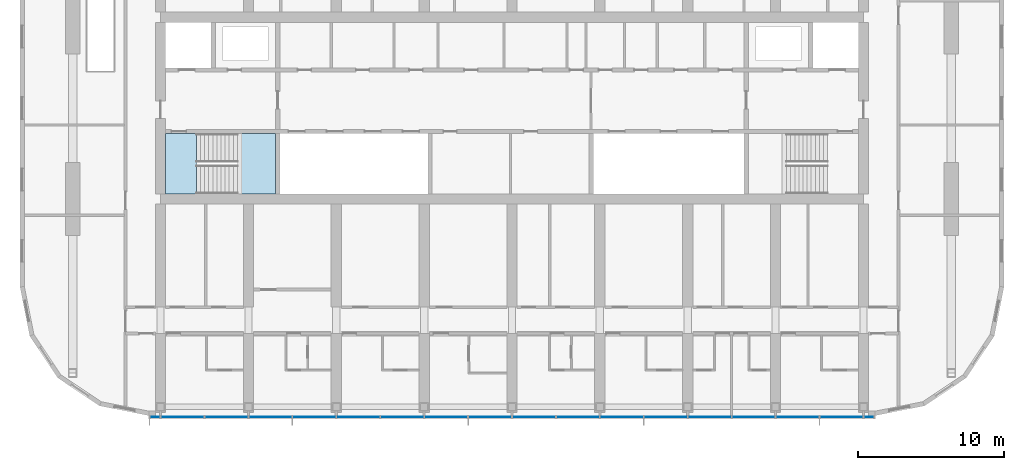
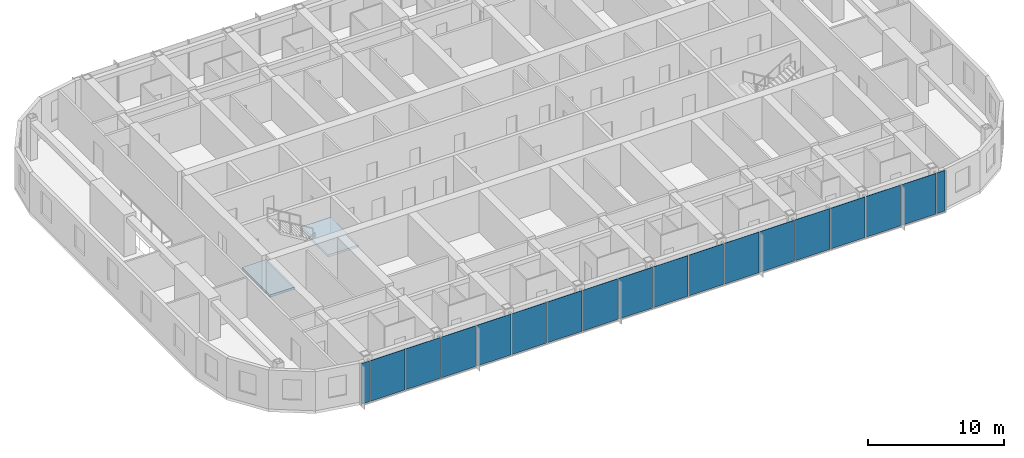
# One storey, part 7 of 23: 18 plates, 2 slabs, 2 elements without a shape of their own.
"""IFC4 building model written with IfcOpenShell, lengths in metres."""

from ifc_helpers import new_model, si_unit, direction, frame, origin, origin_2d, place, context, subcontext, project, spatial, polyline, rectangle, outline, extrude, material, layer, layer_set, type_object, element, aggregate, save


model = new_model("IFC4")

# Units and contexts
model_context = context("Model", 3, precision=1e-05, world=origin(), true_north=direction((0.0, 1.0)))
body_context = subcontext(model_context, "Body", "Model", "MODEL_VIEW")
ifc_project = project(units=[si_unit("LENGTHUNIT", "METRE"), si_unit("AREAUNIT", "SQUARE_METRE"), si_unit("VOLUMEUNIT", "CUBIC_METRE"), si_unit("PLANEANGLEUNIT", "RADIAN"), si_unit("MASSUNIT", "GRAM", prefix="KILO")], contexts=[model_context])

# Site, building, storey
site_placement = place(None, origin())
site = spatial("IfcSite", under=ifc_project, at=site_placement, CompositionType="ELEMENT")
building_placement = place(site_placement, origin())
building = spatial("IfcBuilding", under=site, at=building_placement, Name="Orbita Commons", CompositionType="ELEMENT")
storey_placement = place(building_placement, frame((0.0, 0.0, 220.300048828125)))
storey = spatial("IfcBuildingStorey", under=building, at=storey_placement, Name="L54", CompositionType="ELEMENT", Elevation=220.300048828125)

# Curtain wall, plates
ifc_material_1 = material(Name="Anodised aluminium frame, pale silver", Category="aluminium")
curtain_wall_type = type_object("IfcCurtainWallType", Name="Unitised curtain wall CW-U, full-height vision", PredefinedType="NOTDEFINED", material=ifc_material_1)
curtain_wall_placement = place(storey_placement, origin())
curtain_wall = element("IfcCurtainWall", 1, at=curtain_wall_placement, inside=storey, type_object=curtain_wall_type, Name="Curtain wall south L54", PredefinedType="NOTDEFINED")
ifc_material_2 = material(Name="Clear double glazing", Category="glass")
ifc_layer_1 = layer(ifc_material_2, 0.031982421875)
ifc_layer_set_1 = layer_set([ifc_layer_1], Name="Clear double glazing")
plate_type = type_object("IfcPlateType", Name="Full-height vision panel, clear glazing 32", PredefinedType="CURTAIN_PANEL", material=ifc_layer_set_1)
plate_1_placement = place(storey_placement, frame((17.6201171875, 10.889892578125, -0.14990234375), z_axis=(0.0, 0.0, 1.0), x_axis=(1.0, 0.0, 0.0)))
plate_1 = element("IfcPlate", 2, at=plate_1_placement, type_object=plate_type, Name="Panel 1.1 CW-L54-S", PredefinedType="CURTAIN_PANEL", context=body_context, shape_type="SweptSolid", body=[
    extrude(rectangle(XDim=0.679931640625, YDim=0.031982421875, at=origin_2d()), origin(), (0.0, 0.0, 1.0), 3.64990234375),
])
plate_2_placement = place(storey_placement, frame((19.5, 10.889892578125, -0.14990234375), z_axis=(0.0, 0.0, 1.0), x_axis=(1.0, 0.0, 0.0)))
plate_2 = element("IfcPlate", 3, at=plate_2_placement, type_object=plate_type, Name="Panel 2.1 CW-L54-S", PredefinedType="CURTAIN_PANEL", context=body_context, shape_type="SweptSolid", body=[
    extrude(rectangle(XDim=2.919921875, YDim=0.031982421875, at=origin_2d()), origin(), (0.0, 0.0, 1.0), 3.64990234375),
])
plate_3_placement = place(storey_placement, frame((22.5, 10.889892578125, -0.14990234375), z_axis=(0.0, 0.0, 1.0), x_axis=(1.0, 0.0, 0.0)))
plate_3 = element("IfcPlate", 4, at=plate_3_placement, type_object=plate_type, Name="Panel 3.1 CW-L54-S", PredefinedType="CURTAIN_PANEL", context=body_context, shape_type="SweptSolid", body=[
    extrude(rectangle(XDim=2.919921875, YDim=0.031982421875, at=origin_2d()), origin(), (0.0, 0.0, 1.0), 3.64990234375),
])
plate_4_placement = place(storey_placement, frame((25.5, 10.889892578125, -0.14990234375), z_axis=(0.0, 0.0, 1.0), x_axis=(1.0, 0.0, 0.0)))
plate_4 = element("IfcPlate", 5, at=plate_4_placement, type_object=plate_type, Name="Panel 4.1 CW-L54-S", PredefinedType="CURTAIN_PANEL", context=body_context, shape_type="SweptSolid", body=[
    extrude(rectangle(XDim=2.919921875, YDim=0.031982421875, at=origin_2d()), origin(), (0.0, 0.0, 1.0), 3.64990234375),
])
plate_5_placement = place(storey_placement, frame((28.5, 10.889892578125, -0.14990234375), z_axis=(0.0, 0.0, 1.0), x_axis=(1.0, 0.0, 0.0)))
plate_5 = element("IfcPlate", 6, at=plate_5_placement, type_object=plate_type, Name="Panel 5.1 CW-L54-S", PredefinedType="CURTAIN_PANEL", context=body_context, shape_type="SweptSolid", body=[
    extrude(rectangle(XDim=2.919921875, YDim=0.031982421875, at=origin_2d()), origin(), (0.0, 0.0, 1.0), 3.64990234375),
])
plate_6_placement = place(storey_placement, frame((31.5, 10.889892578125, -0.14990234375), z_axis=(0.0, 0.0, 1.0), x_axis=(1.0, 0.0, 0.0)))
plate_6 = element("IfcPlate", 7, at=plate_6_placement, type_object=plate_type, Name="Panel 6.1 CW-L54-S", PredefinedType="CURTAIN_PANEL", context=body_context, shape_type="SweptSolid", body=[
    extrude(rectangle(XDim=2.919921875, YDim=0.031982421875, at=origin_2d()), origin(), (0.0, 0.0, 1.0), 3.64990234375),
])
plate_7_placement = place(storey_placement, frame((34.5, 10.889892578125, -0.14990234375), z_axis=(0.0, 0.0, 1.0), x_axis=(1.0, 0.0, 0.0)))
plate_7 = element("IfcPlate", 8, at=plate_7_placement, type_object=plate_type, Name="Panel 7.1 CW-L54-S", PredefinedType="CURTAIN_PANEL", context=body_context, shape_type="SweptSolid", body=[
    extrude(rectangle(XDim=2.919921875, YDim=0.031982421875, at=origin_2d()), origin(), (0.0, 0.0, 1.0), 3.64990234375),
])
plate_8_placement = place(storey_placement, frame((37.5, 10.889892578125, -0.14990234375), z_axis=(0.0, 0.0, 1.0), x_axis=(1.0, 0.0, 0.0)))
plate_8 = element("IfcPlate", 9, at=plate_8_placement, type_object=plate_type, Name="Panel 8.1 CW-L54-S", PredefinedType="CURTAIN_PANEL", context=body_context, shape_type="SweptSolid", body=[
    extrude(rectangle(XDim=2.919921875, YDim=0.031982421875, at=origin_2d()), origin(), (0.0, 0.0, 1.0), 3.64990234375),
])
plate_9_placement = place(storey_placement, frame((40.5, 10.889892578125, -0.14990234375), z_axis=(0.0, 0.0, 1.0), x_axis=(1.0, 0.0, 0.0)))
plate_9 = element("IfcPlate", 10, at=plate_9_placement, type_object=plate_type, Name="Panel 9.1 CW-L54-S", PredefinedType="CURTAIN_PANEL", context=body_context, shape_type="SweptSolid", body=[
    extrude(rectangle(XDim=2.919921875, YDim=0.031982421875, at=origin_2d()), origin(), (0.0, 0.0, 1.0), 3.64990234375),
])
plate_10_placement = place(storey_placement, frame((43.5, 10.889892578125, -0.14990234375), z_axis=(0.0, 0.0, 1.0), x_axis=(1.0, 0.0, 0.0)))
plate_10 = element("IfcPlate", 11, at=plate_10_placement, type_object=plate_type, Name="Panel 10.1 CW-L54-S", PredefinedType="CURTAIN_PANEL", context=body_context, shape_type="SweptSolid", body=[
    extrude(rectangle(XDim=2.919921875, YDim=0.031982421875, at=origin_2d()), origin(), (0.0, 0.0, 1.0), 3.64990234375),
])
plate_11_placement = place(storey_placement, frame((46.5, 10.889892578125, -0.14990234375), z_axis=(0.0, 0.0, 1.0), x_axis=(1.0, 0.0, 0.0)))
plate_11 = element("IfcPlate", 12, at=plate_11_placement, type_object=plate_type, Name="Panel 11.1 CW-L54-S", PredefinedType="CURTAIN_PANEL", context=body_context, shape_type="SweptSolid", body=[
    extrude(rectangle(XDim=2.919921875, YDim=0.031982421875, at=origin_2d()), origin(), (0.0, 0.0, 1.0), 3.64990234375),
])
plate_12_placement = place(storey_placement, frame((49.5, 10.889892578125, -0.14990234375), z_axis=(0.0, 0.0, 1.0), x_axis=(1.0, 0.0, 0.0)))
plate_12 = element("IfcPlate", 13, at=plate_12_placement, type_object=plate_type, Name="Panel 12.1 CW-L54-S", PredefinedType="CURTAIN_PANEL", context=body_context, shape_type="SweptSolid", body=[
    extrude(rectangle(XDim=2.919921875, YDim=0.031982421875, at=origin_2d()), origin(), (0.0, 0.0, 1.0), 3.64990234375),
])
plate_13_placement = place(storey_placement, frame((52.5, 10.889892578125, -0.14990234375), z_axis=(0.0, 0.0, 1.0), x_axis=(1.0, 0.0, 0.0)))
plate_13 = element("IfcPlate", 14, at=plate_13_placement, type_object=plate_type, Name="Panel 13.1 CW-L54-S", PredefinedType="CURTAIN_PANEL", context=body_context, shape_type="SweptSolid", body=[
    extrude(rectangle(XDim=2.919921875, YDim=0.031982421875, at=origin_2d()), origin(), (0.0, 0.0, 1.0), 3.64990234375),
])
plate_14_placement = place(storey_placement, frame((55.5, 10.889892578125, -0.14990234375), z_axis=(0.0, 0.0, 1.0), x_axis=(1.0, 0.0, 0.0)))
plate_14 = element("IfcPlate", 15, at=plate_14_placement, type_object=plate_type, Name="Panel 14.1 CW-L54-S", PredefinedType="CURTAIN_PANEL", context=body_context, shape_type="SweptSolid", body=[
    extrude(rectangle(XDim=2.919921875, YDim=0.031982421875, at=origin_2d()), origin(), (0.0, 0.0, 1.0), 3.64990234375),
])
plate_15_placement = place(storey_placement, frame((58.5, 10.889892578125, -0.14990234375), z_axis=(0.0, 0.0, 1.0), x_axis=(1.0, 0.0, 0.0)))
plate_15 = element("IfcPlate", 16, at=plate_15_placement, type_object=plate_type, Name="Panel 15.1 CW-L54-S", PredefinedType="CURTAIN_PANEL", context=body_context, shape_type="SweptSolid", body=[
    extrude(rectangle(XDim=2.919921875, YDim=0.031982421875, at=origin_2d()), origin(), (0.0, 0.0, 1.0), 3.64990234375),
])
plate_16_placement = place(storey_placement, frame((61.5, 10.889892578125, -0.14990234375), z_axis=(0.0, 0.0, 1.0), x_axis=(1.0, 0.0, 0.0)))
plate_16 = element("IfcPlate", 17, at=plate_16_placement, type_object=plate_type, Name="Panel 16.1 CW-L54-S", PredefinedType="CURTAIN_PANEL", context=body_context, shape_type="SweptSolid", body=[
    extrude(rectangle(XDim=2.919921875, YDim=0.031982421875, at=origin_2d()), origin(), (0.0, 0.0, 1.0), 3.64990234375),
])
plate_17_placement = place(storey_placement, frame((64.5, 10.889892578125, -0.14990234375), z_axis=(0.0, 0.0, 1.0), x_axis=(1.0, 0.0, 0.0)))
plate_17 = element("IfcPlate", 18, at=plate_17_placement, type_object=plate_type, Name="Panel 17.1 CW-L54-S", PredefinedType="CURTAIN_PANEL", context=body_context, shape_type="SweptSolid", body=[
    extrude(rectangle(XDim=2.919921875, YDim=0.031982421875, at=origin_2d()), origin(), (0.0, 0.0, 1.0), 3.64990234375),
])
plate_18_placement = place(storey_placement, frame((66.3798828125, 10.889892578125, -0.14990234375), z_axis=(0.0, 0.0, 1.0), x_axis=(1.0, 0.0, 0.0)))
plate_18 = element("IfcPlate", 19, at=plate_18_placement, type_object=plate_type, Name="Panel 18.1 CW-L54-S", PredefinedType="CURTAIN_PANEL", context=body_context, shape_type="SweptSolid", body=[
    extrude(rectangle(XDim=0.679931640625, YDim=0.031982421875, at=origin_2d()), origin(), (0.0, 0.0, 1.0), 3.64990234375),
])
aggregate(curtain_wall, [plate_1, plate_2, plate_3, plate_4, plate_5, plate_6, plate_7, plate_8, plate_9, plate_10, plate_11, plate_12, plate_13, plate_14, plate_15, plate_16, plate_17, plate_18])

# Stair, slabs
ifc_material_3 = material(Name="Precast concrete C40/50", Category="concrete")
stair_type = type_object("IfcStairType", Name="Exit stair S1 2 flights 11 risers 170", PredefinedType="HALF_TURN_STAIR", material=ifc_material_3)
stair_placement = place(storey_placement, origin())
stair = element("IfcStair", 20, at=stair_placement, inside=storey, type_object=stair_type, Name="Exit stair S1 L54", PredefinedType="HALF_TURN_STAIR")
ifc_material_4 = material(Name="Concrete C40/50", Category="concrete")
ifc_layer_2 = layer(ifc_material_4, 0.199951171875)
ifc_layer_set_2 = layer_set([ifc_layer_2], Name="Concrete C40/50")
slab_type = type_object("IfcSlabType", Name="Stair landing 200", PredefinedType="LANDING", material=ifc_layer_set_2)
slab_1_placement = place(storey_placement, frame((0.0, 0.0, -0.199951171875)))
slab_1 = element("IfcSlab", 21, at=slab_1_placement, type_object=slab_type, Name="S1 landing 1", PredefinedType="LANDING", context=body_context, shape_type="SweptSolid", body=[
    extrude(outline(polyline([(18.35009765625, 26.14990234375), (20.449951171875, 26.14990234375), (20.449951171875, 30.25), (18.35009765625, 30.25), (18.35009765625, 26.14990234375)])), origin(), (0.0, 0.0, 1.0), 0.199951171875),
])
slab_2_placement = place(storey_placement, frame((0.0, 0.0, 1.675048828125)))
slab_2 = element("IfcSlab", 22, at=slab_2_placement, type_object=slab_type, Name="S1 landing 2", PredefinedType="LANDING", context=body_context, shape_type="SweptSolid", body=[
    extrude(outline(polyline([(23.25, 26.135009765625), (25.864990234375, 26.135009765625), (25.864990234375, 30.264892578125), (23.25, 30.264892578125), (23.25, 26.135009765625)])), origin(), (0.0, 0.0, 1.0), 0.199951171875),
])
aggregate(stair, [slab_1, slab_2])

save(model, "model.ifc")
